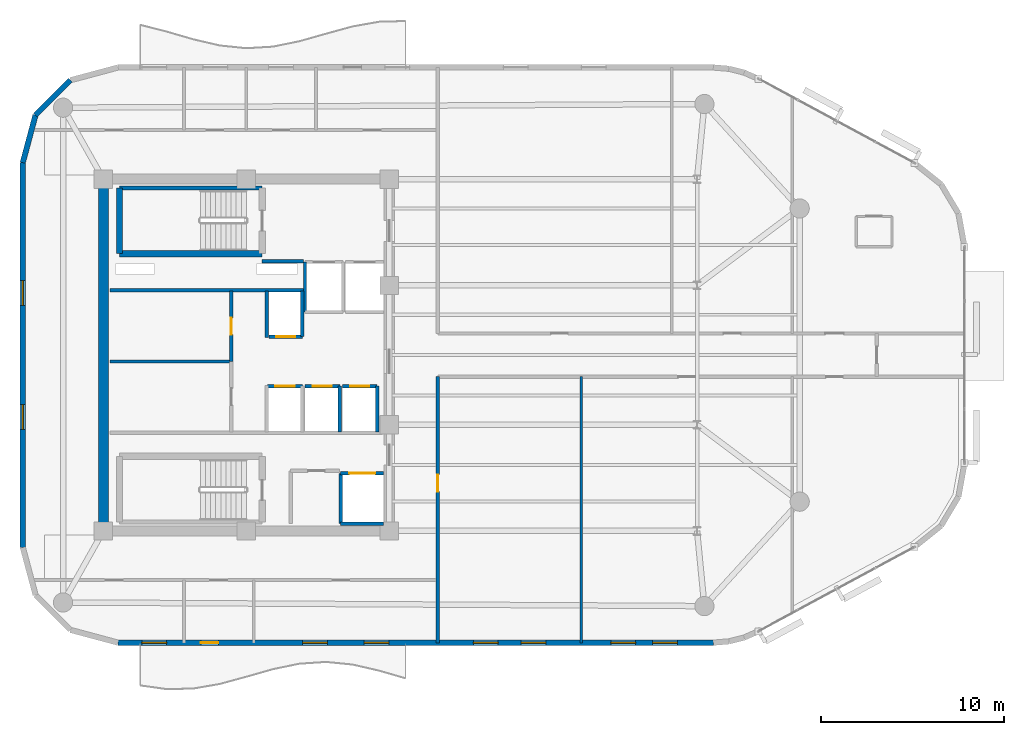
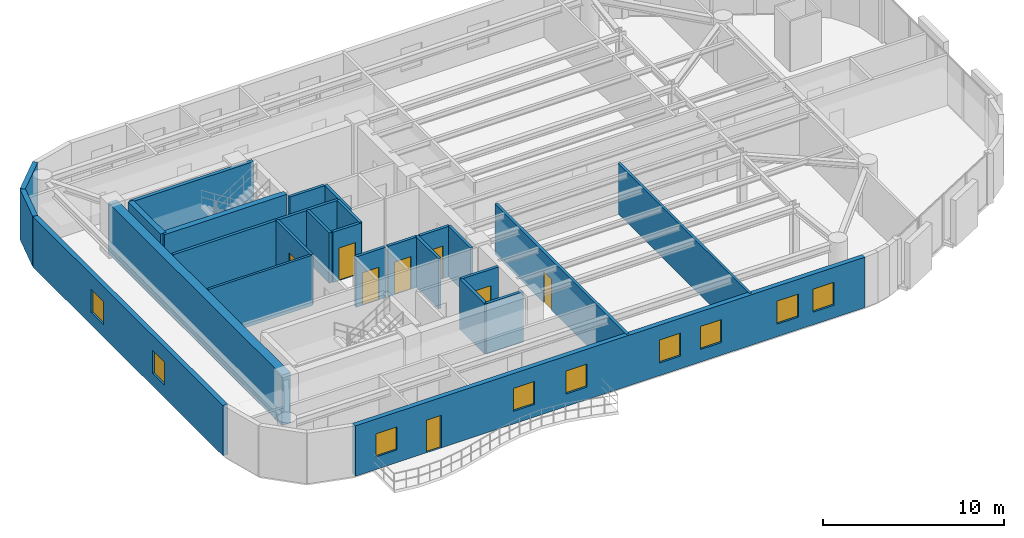
# One storey, part 9 of 13: 26 walls, 9 windows, 8 doors, 17 openings.
"""IFC4 building model written with IfcOpenShell, lengths in metres."""

from ifc_helpers import new_model, si_unit, direction, frame, frame_2d, origin, place, context, subcontext, project, spatial, rectangle, extrude, material, layer, layer_set, type_object, element, fill, save


model = new_model("IFC4")

# Units and contexts
model_context = context("Model", 3, precision=1e-05, world=origin(), true_north=direction((0.0, 1.0)))
body_context = subcontext(model_context, "Body", "Model", "MODEL_VIEW")
ifc_project = project(units=[si_unit("LENGTHUNIT", "METRE"), si_unit("AREAUNIT", "SQUARE_METRE"), si_unit("VOLUMEUNIT", "CUBIC_METRE"), si_unit("PLANEANGLEUNIT", "RADIAN"), si_unit("MASSUNIT", "GRAM", prefix="KILO")], contexts=[model_context])

# Site, building, storey
site_placement = place(None, origin())
site = spatial("IfcSite", under=ifc_project, at=site_placement, CompositionType="ELEMENT")
building_placement = place(site_placement, origin())
building = spatial("IfcBuilding", under=site, at=building_placement, Name="An Khanh Terracotta Commons", CompositionType="ELEMENT")
storey_placement = place(building_placement, frame((0.0, 0.0, 212.10009765625)))
storey = spatial("IfcBuildingStorey", under=building, at=storey_placement, Name="L55", CompositionType="ELEMENT", Elevation=212.10009765625)

# Walls
ifc_material_1 = material(Name="Concrete C50/60", Category="concrete")
ifc_layer_1 = layer(ifc_material_1, 0.550048828125, Name="Concrete C50/60")
ifc_layer_set_1 = layer_set([ifc_layer_1], Name="Concrete C50/60")
wall_type_1 = type_object("IfcWallType", Name="WALL-CORE-550", PredefinedType="SHEAR", material=ifc_layer_set_1)
wall_1_placement = place(storey_placement, frame((21.60009765625, 14.39990234375, 0.0), z_axis=(0.0, 0.0, 1.0), x_axis=(0.0, 1.0, 0.0)))
element("IfcWall", 1, at=wall_1_placement, inside=storey, type_object=wall_type_1, Name="L55 Core Wall CWALL-L55-W", PredefinedType="SHEAR", context=body_context, shape_type="SweptSolid", body=[
    extrude(rectangle(XDim=19.2001953125, YDim=0.550048828125, at=frame_2d((9.60009765625, 0.0))), origin(), (0.0, 0.0, 1.0), 3.39990234375),
])
ifc_material_2 = material(Name="Fire-Rated Gypsum Board on Steel Stud", Category="steel")
ifc_layer_2 = layer(ifc_material_2, 0.179931640625, Name="Fire-Rated Gypsum Board on Steel Stud")
ifc_layer_set_2 = layer_set([ifc_layer_2], Name="Fire-Rated Gypsum Board on Steel Stud")
wall_type_2 = type_object("IfcWallType", Name="WALL-CORR-180", PredefinedType="PARTITIONING", material=ifc_layer_set_2)
wall_2_placement = place(storey_placement, frame((30.27001953125, 29.1201171875, 0.0), z_axis=(0.0, 0.0, 1.0), x_axis=(1.0, 0.0, 0.0)))
element("IfcWall", 2, at=wall_2_placement, inside=storey, type_object=wall_type_2, Name="L55 Core Wall FFLW-L55-S", PredefinedType="PARTITIONING", context=body_context, shape_type="SweptSolid", body=[
    extrude(rectangle(XDim=2.239990234375, YDim=0.179931640625, at=frame_2d((1.1201171875, 0.0))), origin(), (0.0, 0.0, 1.0), 3.39990234375),
])
wall_3_placement = place(storey_placement, frame((21.949951171875, 27.5400390625, 0.0), z_axis=(0.0, 0.0, 1.0), x_axis=(1.0, 0.0, 0.0)))
element("IfcWall", 3, at=wall_3_placement, inside=storey, type_object=wall_type_2, Name="L55 Core Wall RSRW-L55-S", PredefinedType="PARTITIONING", context=body_context, shape_type="SweptSolid", body=[
    extrude(rectangle(XDim=10.56005859375, YDim=0.179931640625, at=frame_2d((5.280029296875, 0.0))), origin(), (0.0, 0.0, 1.0), 3.39990234375),
])
wall_4_placement = place(storey_placement, frame((32.60009765625, 29.080078125, 0.0), z_axis=(0.0, 0.0, 1.0), x_axis=(0.0, -1.0, 0.0)))
element("IfcWall", 4, at=wall_4_placement, inside=storey, type_object=wall_type_2, Name="L55 Core Wall LSH-L55-FFL-01-W", PredefinedType="PARTITIONING", context=body_context, shape_type="SweptSolid", body=[
    extrude(rectangle(XDim=2.72998046875, YDim=0.179931640625, at=frame_2d((1.364990234375, 0.0))), origin(), (0.0, 0.0, 1.0), 3.39990234375),
])

# Wall, opening, door
wall_5_placement = place(storey_placement, frame((34.550048828125, 17.550048828125, 0.0), z_axis=(0.0, 0.0, 1.0), x_axis=(1.0, 0.0, 0.0)))
wall_5 = element("IfcWall", 5, at=wall_5_placement, inside=storey, type_object=wall_type_2, Name="L55 Core Wall LSH-L55-SVL-01-N", PredefinedType="PARTITIONING", context=body_context, shape_type="SweptSolid", body=[
    extrude(rectangle(XDim=2.349853515625, YDim=0.179931640625, at=frame_2d((1.1748046875, 0.0))), origin(), (0.0, 0.0, 1.0), 3.39990234375),
])
opening_1_placement = place(wall_5_placement, frame((0.47509765625, 0.0, 0.0)))
opening_1 = element("IfcOpeningElement", 6, at=opening_1_placement, cuts=wall_5, Name="Opening LD-SVL-01-L55", PredefinedType="OPENING", context=body_context, shape_type="SweptSolid", body=[
    extrude(rectangle(XDim=1.39990234375, YDim=2.300048828125, at=frame_2d((0.699951171875, 1.14990234375))), frame((0.0, 0.099853515625, 0.0), z_axis=(0.0, -1.0, 0.0), x_axis=(1.0, 0.0, 0.0)), (0.0, 0.0, 1.0), 0.199951171875),
])
ifc_material_3 = material(Name="Heavy-Duty Stainless Steel Goods Landing Door", Category="steel")
door_type_1 = type_object("IfcDoorType", Name="DOOR-LD-SVL-1400", OperationType="NOTDEFINED", PredefinedType="DOOR", material=ifc_material_3)
door_1_placement = place(opening_1_placement, origin())
door_1 = element("IfcDoor", 7, at=door_1_placement, inside=storey, type_object=door_type_1, Name="L55 Lift SVL-01 Sliding Landing Door", OperationType="DOUBLE_DOOR_SLIDING", OverallHeight=2.300048828125, OverallWidth=1.39990234375, PredefinedType="DOOR", context=body_context, shape_type="SweptSolid", body=[
    extrude(rectangle(XDim=1.39990234375, YDim=2.300048828125, at=frame_2d((0.699951171875, 1.14990234375))), frame((0.0, 0.02490234375, 0.0), z_axis=(0.0, -1.0, 0.0), x_axis=(1.0, 0.0, 0.0)), (0.0, 0.0, 1.0), 0.050048828125),
])
fill(opening_1, door_1)

# Walls
wall_6_placement = place(storey_placement, frame((36.89990234375, 14.800048828125, 0.0), z_axis=(0.0, 0.0, 1.0), x_axis=(-1.0, 0.0, 0.0)))
element("IfcWall", 8, at=wall_6_placement, inside=storey, type_object=wall_type_2, Name="L55 Core Wall LSH-L55-SVL-01-S", PredefinedType="PARTITIONING", context=body_context, shape_type="SweptSolid", body=[
    extrude(rectangle(XDim=2.349853515625, YDim=0.179931640625, at=frame_2d((1.1748046875, 0.0))), origin(), (0.0, 0.0, 1.0), 3.39990234375),
])
wall_7_placement = place(storey_placement, frame((34.550048828125, 17.550048828125, 0.0), z_axis=(0.0, 0.0, 1.0), x_axis=(0.0, -1.0, 0.0)))
element("IfcWall", 9, at=wall_7_placement, inside=storey, type_object=wall_type_2, Name="L55 Core Wall LSH-L55-SVL-01-W", PredefinedType="PARTITIONING", context=body_context, shape_type="SweptSolid", body=[
    extrude(rectangle(XDim=2.75, YDim=0.179931640625, at=frame_2d((1.375, 0.0))), origin(), (0.0, 0.0, 1.0), 3.39990234375),
])

# Wall, opening, door
wall_8_placement = place(storey_placement, frame((32.4599609375, 25.0, 0.0), z_axis=(0.0, 0.0, 1.0), x_axis=(-1.0, 0.0, 0.0)))
wall_8 = element("IfcWall", 10, at=wall_8_placement, inside=storey, type_object=wall_type_2, Name="L55 Core Wall LSH-L55-PL-H1-S", PredefinedType="PARTITIONING", context=body_context, shape_type="SweptSolid", body=[
    extrude(rectangle(XDim=1.820068359375, YDim=0.179931640625, at=frame_2d((0.91015625, 0.0))), origin(), (0.0, 0.0, 1.0), 3.39990234375),
])
opening_2_placement = place(wall_8_placement, frame((0.385009765625, 0.0, 0.0)))
opening_2 = element("IfcOpeningElement", 11, at=opening_2_placement, cuts=wall_8, Name="Opening LD-PL-H1-L55", PredefinedType="OPENING", context=body_context, shape_type="SweptSolid", body=[
    extrude(rectangle(XDim=1.050048828125, YDim=2.199951171875, at=frame_2d((0.52490234375, 1.10009765625))), frame((0.0, 0.099853515625, 0.0), z_axis=(0.0, -1.0, 0.0), x_axis=(1.0, 0.0, 0.0)), (0.0, 0.0, 1.0), 0.199951171875),
])
ifc_material_4 = material(Name="Brushed Stainless Steel High-Rise Landing Door", Category="steel")
door_type_2 = type_object("IfcDoorType", Name="DOOR-LD-PAXH-1050", OperationType="NOTDEFINED", PredefinedType="DOOR", material=ifc_material_4)
door_2_placement = place(opening_2_placement, origin())
door_2 = element("IfcDoor", 12, at=door_2_placement, inside=storey, type_object=door_type_2, Name="L55 Lift PL-H1 Sliding Landing Door", OperationType="DOUBLE_DOOR_SLIDING", OverallHeight=2.199951171875, OverallWidth=1.050048828125, PredefinedType="DOOR", context=body_context, shape_type="SweptSolid", body=[
    extrude(rectangle(XDim=1.050048828125, YDim=2.199951171875, at=frame_2d((0.52490234375, 1.10009765625))), frame((0.0, 0.02490234375, 0.0), z_axis=(0.0, -1.0, 0.0), x_axis=(1.0, 0.0, 0.0)), (0.0, 0.0, 1.0), 0.050048828125),
])
fill(opening_2, door_2)

# Wall
wall_9_placement = place(storey_placement, frame((32.4599609375, 25.0, 0.0), z_axis=(0.0, 0.0, 1.0), x_axis=(0.0, 1.0, 0.0)))
element("IfcWall", 13, at=wall_9_placement, inside=storey, type_object=wall_type_2, Name="L55 Core Wall LSH-L55-PL-H1-E", PredefinedType="PARTITIONING", context=body_context, shape_type="SweptSolid", body=[
    extrude(rectangle(XDim=2.5, YDim=0.179931640625, at=frame_2d((1.25, 0.0))), origin(), (0.0, 0.0, 1.0), 3.39990234375),
])

# Wall, opening, door
wall_10_placement = place(storey_placement, frame((30.56005859375, 22.300048828125, 0.0), z_axis=(0.0, 0.0, 1.0), x_axis=(1.0, 0.0, 0.0)))
wall_10 = element("IfcWall", 14, at=wall_10_placement, inside=storey, type_object=wall_type_2, Name="L55 Core Wall LSH-L55-PL-H2-N", PredefinedType="PARTITIONING", context=body_context, shape_type="SweptSolid", body=[
    extrude(rectangle(XDim=1.89990234375, YDim=0.179931640625, at=frame_2d((0.949951171875, 0.0))), origin(), (0.0, 0.0, 1.0), 3.39990234375),
])
opening_3_placement = place(wall_10_placement, frame((0.425048828125, 0.0, 0.0)))
opening_3 = element("IfcOpeningElement", 15, at=opening_3_placement, cuts=wall_10, Name="Opening LD-PL-H2-L55", PredefinedType="OPENING", context=body_context, shape_type="SweptSolid", body=[
    extrude(rectangle(XDim=1.050048828125, YDim=2.199951171875, at=frame_2d((0.52490234375, 1.10009765625))), frame((0.0, 0.099853515625, 0.0), z_axis=(0.0, -1.0, 0.0), x_axis=(1.0, 0.0, 0.0)), (0.0, 0.0, 1.0), 0.199951171875),
])
door_3_placement = place(opening_3_placement, origin())
door_3 = element("IfcDoor", 16, at=door_3_placement, inside=storey, type_object=door_type_2, Name="L55 Lift PL-H2 Sliding Landing Door", OperationType="DOUBLE_DOOR_SLIDING", OverallHeight=2.199951171875, OverallWidth=1.050048828125, PredefinedType="DOOR", context=body_context, shape_type="SweptSolid", body=[
    extrude(rectangle(XDim=1.050048828125, YDim=2.199951171875, at=frame_2d((0.52490234375, 1.10009765625))), frame((0.0, 0.02490234375, 0.0), z_axis=(0.0, -1.0, 0.0), x_axis=(1.0, 0.0, 0.0)), (0.0, 0.0, 1.0), 0.050048828125),
])
fill(opening_3, door_3)

wall_11_placement = place(storey_placement, frame((32.60009765625, 22.300048828125, 0.0), z_axis=(0.0, 0.0, 1.0), x_axis=(1.0, 0.0, 0.0)))
wall_11 = element("IfcWall", 17, at=wall_11_placement, inside=storey, type_object=wall_type_2, Name="L55 Core Wall LSH-L55-PL-H3-N", PredefinedType="PARTITIONING", context=body_context, shape_type="SweptSolid", body=[
    extrude(rectangle(XDim=1.89990234375, YDim=0.179931640625, at=frame_2d((0.949951171875, 0.0))), origin(), (0.0, 0.0, 1.0), 3.39990234375),
])
opening_4_placement = place(wall_11_placement, frame((0.425048828125, 0.0, 0.0)))
opening_4 = element("IfcOpeningElement", 18, at=opening_4_placement, cuts=wall_11, Name="Opening LD-PL-H3-L55", PredefinedType="OPENING", context=body_context, shape_type="SweptSolid", body=[
    extrude(rectangle(XDim=1.050048828125, YDim=2.199951171875, at=frame_2d((0.52490234375, 1.10009765625))), frame((0.0, 0.099853515625, 0.0), z_axis=(0.0, -1.0, 0.0), x_axis=(1.0, 0.0, 0.0)), (0.0, 0.0, 1.0), 0.199951171875),
])
door_4_placement = place(opening_4_placement, origin())
door_4 = element("IfcDoor", 19, at=door_4_placement, inside=storey, type_object=door_type_2, Name="L55 Lift PL-H3 Sliding Landing Door", OperationType="DOUBLE_DOOR_SLIDING", OverallHeight=2.199951171875, OverallWidth=1.050048828125, PredefinedType="DOOR", context=body_context, shape_type="SweptSolid", body=[
    extrude(rectangle(XDim=1.050048828125, YDim=2.199951171875, at=frame_2d((0.52490234375, 1.10009765625))), frame((0.0, 0.02490234375, 0.0), z_axis=(0.0, -1.0, 0.0), x_axis=(1.0, 0.0, 0.0)), (0.0, 0.0, 1.0), 0.050048828125),
])
fill(opening_4, door_4)

# Wall
wall_12_placement = place(storey_placement, frame((34.5, 19.800048828125, 0.0), z_axis=(0.0, 0.0, 1.0), x_axis=(0.0, 1.0, 0.0)))
element("IfcWall", 20, at=wall_12_placement, inside=storey, type_object=wall_type_2, Name="L55 Core Wall LSH-L55-PL-H3-E", PredefinedType="PARTITIONING", context=body_context, shape_type="SweptSolid", body=[
    extrude(rectangle(XDim=2.5, YDim=0.179931640625, at=frame_2d((1.25, 0.0))), origin(), (0.0, 0.0, 1.0), 3.39990234375),
])

# Wall, opening, door
wall_13_placement = place(storey_placement, frame((34.639892578125, 22.300048828125, 0.0), z_axis=(0.0, 0.0, 1.0), x_axis=(1.0, 0.0, 0.0)))
wall_13 = element("IfcWall", 21, at=wall_13_placement, inside=storey, type_object=wall_type_2, Name="L55 Core Wall LSH-L55-PL-H4-N", PredefinedType="PARTITIONING", context=body_context, shape_type="SweptSolid", body=[
    extrude(rectangle(XDim=1.900146484375, YDim=0.179931640625, at=frame_2d((0.9501953125, 0.0))), origin(), (0.0, 0.0, 1.0), 3.39990234375),
])
opening_5_placement = place(wall_13_placement, frame((0.425048828125, 0.0, 0.0)))
opening_5 = element("IfcOpeningElement", 22, at=opening_5_placement, cuts=wall_13, Name="Opening LD-PL-H4-L55", PredefinedType="OPENING", context=body_context, shape_type="SweptSolid", body=[
    extrude(rectangle(XDim=1.050048828125, YDim=2.199951171875, at=frame_2d((0.52490234375, 1.10009765625))), frame((0.0, 0.099853515625, 0.0), z_axis=(0.0, -1.0, 0.0), x_axis=(1.0, 0.0, 0.0)), (0.0, 0.0, 1.0), 0.199951171875),
])
door_5_placement = place(opening_5_placement, origin())
door_5 = element("IfcDoor", 23, at=door_5_placement, inside=storey, type_object=door_type_2, Name="L55 Lift PL-H4 Sliding Landing Door", OperationType="DOUBLE_DOOR_SLIDING", OverallHeight=2.199951171875, OverallWidth=1.050048828125, PredefinedType="DOOR", context=body_context, shape_type="SweptSolid", body=[
    extrude(rectangle(XDim=1.050048828125, YDim=2.199951171875, at=frame_2d((0.52490234375, 1.10009765625))), frame((0.0, 0.02490234375, 0.0), z_axis=(0.0, -1.0, 0.0), x_axis=(1.0, 0.0, 0.0)), (0.0, 0.0, 1.0), 0.050048828125),
])
fill(opening_5, door_5)

# Walls
wall_14_placement = place(storey_placement, frame((36.5400390625, 19.800048828125, 0.0), z_axis=(0.0, 0.0, 1.0), x_axis=(0.0, 1.0, 0.0)))
element("IfcWall", 24, at=wall_14_placement, inside=storey, type_object=wall_type_2, Name="L55 Core Wall LSH-L55-PL-H4-E", PredefinedType="PARTITIONING", context=body_context, shape_type="SweptSolid", body=[
    extrude(rectangle(XDim=2.5, YDim=0.179931640625, at=frame_2d((1.25, 0.0))), origin(), (0.0, 0.0, 1.0), 3.39990234375),
])
wall_15_placement = place(storey_placement, frame((30.52001953125, 24.949951171875, 0.0), z_axis=(0.0, 0.0, 1.0), x_axis=(0.0, 1.0, 0.0)))
element("IfcWall", 25, at=wall_15_placement, inside=storey, type_object=wall_type_2, Name="L55 Core Wall RECW-L55-BE1", PredefinedType="PARTITIONING", context=body_context, shape_type="SweptSolid", body=[
    extrude(rectangle(XDim=2.550048828125, YDim=0.179931640625, at=frame_2d((1.27490234375, 0.0))), origin(), (0.0, 0.0, 1.0), 3.39990234375),
])

# Wall, opening, door
wall_16_placement = place(storey_placement, frame((28.580078125, 23.64990234375, 0.0), z_axis=(0.0, 0.0, 1.0), x_axis=(0.0, 1.0, 0.0)))
wall_16 = element("IfcWall", 26, at=wall_16_placement, inside=storey, type_object=wall_type_2, Name="L55 Core Wall RECW-L55-E1", PredefinedType="PARTITIONING", context=body_context, shape_type="SweptSolid", body=[
    extrude(rectangle(XDim=3.85009765625, YDim=0.179931640625, at=frame_2d((1.925048828125, 0.0))), origin(), (0.0, 0.0, 1.0), 3.39990234375),
])
opening_6_placement = place(wall_16_placement, frame((1.465087890625, 0.0, 0.0)))
opening_6 = element("IfcOpeningElement", 27, at=opening_6_placement, cuts=wall_16, Name="Opening D-RM", PredefinedType="OPENING", context=body_context, shape_type="SweptSolid", body=[
    extrude(rectangle(XDim=0.919921875, YDim=2.10009765625, at=frame_2d((0.4599609375, 1.050048828125))), frame((0.0, 0.099853515625, 0.0), z_axis=(0.0, -1.0, 0.0), x_axis=(1.0, 0.0, 0.0)), (0.0, 0.0, 1.0), 0.199951171875),
])
ifc_material_5 = material(Name="Engineered Hardwood Timber Leaf", Category="wood")
door_type_3 = type_object("IfcDoorType", Name="DOOR-INT-920", OperationType="NOTDEFINED", PredefinedType="DOOR", material=ifc_material_5)
door_6_placement = place(opening_6_placement, origin())
door_6 = element("IfcDoor", 28, at=door_6_placement, inside=storey, type_object=door_type_3, Name="L55 Communal Laundry Room Door", OperationType="SINGLE_SWING_RIGHT", OverallHeight=2.10009765625, OverallWidth=0.919921875, PredefinedType="DOOR", context=body_context, shape_type="SweptSolid", body=[
    extrude(rectangle(XDim=0.919921875, YDim=2.10009765625, at=frame_2d((0.4599609375, 1.050048828125))), frame((0.0, 0.02490234375, 0.0), z_axis=(0.0, -1.0, 0.0), x_axis=(1.0, 0.0, 0.0)), (0.0, 0.0, 1.0), 0.050048828125),
])
fill(opening_6, door_6)

wall_17_placement = place(storey_placement, frame((39.85009765625, 8.300048828125, 0.0), z_axis=(0.0, 0.0, 1.0), x_axis=(0.0, 1.0, 0.0)))
wall_17 = element("IfcWall", 29, at=wall_17_placement, inside=storey, type_object=wall_type_2, Name="L55 Interior Partition IW-L55-E010", PredefinedType="PARTITIONING", context=body_context, shape_type="SweptSolid", body=[
    extrude(rectangle(XDim=14.52001953125, YDim=0.179931640625, at=frame_2d((7.260009765625, 0.0))), origin(), (0.0, 0.0, 1.0), 3.39990234375),
])
opening_7_placement = place(wall_17_placement, frame((8.25, 0.0, 0.0)))
opening_7 = element("IfcOpeningElement", 30, at=opening_7_placement, cuts=wall_17, Name="Opening D-RM", PredefinedType="OPENING", context=body_context, shape_type="SweptSolid", body=[
    extrude(rectangle(XDim=0.919921875, YDim=2.10009765625, at=frame_2d((0.4599609375, 1.050048828125))), frame((0.0, 0.099853515625, 0.0), z_axis=(0.0, -1.0, 0.0), x_axis=(1.0, 0.0, 0.0)), (0.0, 0.0, 1.0), 0.199951171875),
])
door_7_placement = place(opening_7_placement, origin())
door_7 = element("IfcDoor", 31, at=door_7_placement, inside=storey, type_object=door_type_3, Name="L55 SB1 Group Tutorial Meeting Room Door", OperationType="SINGLE_SWING_RIGHT", OverallHeight=2.10009765625, OverallWidth=0.919921875, PredefinedType="DOOR", context=body_context, shape_type="SweptSolid", body=[
    extrude(rectangle(XDim=0.919921875, YDim=2.10009765625, at=frame_2d((0.4599609375, 1.050048828125))), frame((0.0, 0.02490234375, 0.0), z_axis=(0.0, -1.0, 0.0), x_axis=(1.0, 0.0, 0.0)), (0.0, 0.0, 1.0), 0.050048828125),
])
fill(opening_7, door_7)

# Wall, openings, door, windows
ifc_material_6 = material(Name="Precast concrete C40/50", Category="concrete")
ifc_layer_3 = layer(ifc_material_6, 0.300048828125, Name="Precast concrete C40/50")
ifc_layer_set_3 = layer_set([ifc_layer_3], Name="Precast concrete C40/50")
wall_type_3 = type_object("IfcWallType", Name="WALL-EXT-300", PredefinedType="SOLIDWALL", material=ifc_layer_set_3)
wall_18_placement = place(storey_placement, frame((22.39990234375, 8.300048828125, 0.0), z_axis=(0.0, 0.0, 1.0), x_axis=(1.0, 0.0, 0.0)))
wall_18 = element("IfcWall", 32, at=wall_18_placement, inside=storey, type_object=wall_type_3, Name="L55 Insulated Terracotta Exterior Wall 4", PredefinedType="SOLIDWALL", context=body_context, shape_type="SweptSolid", body=[
    extrude(rectangle(XDim=32.485107421875, YDim=0.300048828125, at=frame_2d((16.24267578125, 0.0))), origin(), (0.0, 0.0, 1.0), 3.39990234375),
])
opening_8_placement = place(wall_18_placement, frame((4.52490234375, 0.0, 0.0)))
opening_8 = element("IfcOpeningElement", 33, at=opening_8_placement, cuts=wall_18, Name="Opening D-BAL", PredefinedType="OPENING", context=body_context, shape_type="SweptSolid", body=[
    extrude(rectangle(XDim=0.949951171875, YDim=2.199951171875, at=frame_2d((0.47509765625, 1.10009765625))), frame((0.0, 0.159912109375, 0.0), z_axis=(0.0, -1.0, 0.0), x_axis=(1.0, 0.0, 0.0)), (0.0, 0.0, 1.0), 0.320068359375),
])
opening_9_placement = place(wall_18_placement, frame((1.300048828125, 0.0, 0.85009765625)))
opening_9 = element("IfcOpeningElement", 34, at=opening_9_placement, cuts=wall_18, Name="Opening W-04", PredefinedType="OPENING", context=body_context, shape_type="SweptSolid", body=[
    extrude(rectangle(XDim=1.35009765625, YDim=1.550048828125, at=frame_2d((0.675048828125, 0.77490234375))), frame((0.0, 0.159912109375, 0.0), z_axis=(0.0, -1.0, 0.0), x_axis=(1.0, 0.0, 0.0)), (0.0, 0.0, 1.0), 0.320068359375),
])
opening_10_placement = place(wall_18_placement, frame((10.074951171875, 0.0, 0.85009765625)))
opening_10 = element("IfcOpeningElement", 35, at=opening_10_placement, cuts=wall_18, Name="Opening W-04", PredefinedType="OPENING", context=body_context, shape_type="SweptSolid", body=[
    extrude(rectangle(XDim=1.35009765625, YDim=1.550048828125, at=frame_2d((0.675048828125, 0.77490234375))), frame((0.0, 0.159912109375, 0.0), z_axis=(0.0, -1.0, 0.0), x_axis=(1.0, 0.0, 0.0)), (0.0, 0.0, 1.0), 0.320068359375),
])
opening_11_placement = place(wall_18_placement, frame((13.425048828125, 0.0, 0.85009765625)))
opening_11 = element("IfcOpeningElement", 36, at=opening_11_placement, cuts=wall_18, Name="Opening W-04", PredefinedType="OPENING", context=body_context, shape_type="SweptSolid", body=[
    extrude(rectangle(XDim=1.35009765625, YDim=1.550048828125, at=frame_2d((0.675048828125, 0.77490234375))), frame((0.0, 0.159912109375, 0.0), z_axis=(0.0, -1.0, 0.0), x_axis=(1.0, 0.0, 0.0)), (0.0, 0.0, 1.0), 0.320068359375),
])
opening_12_placement = place(wall_18_placement, frame((19.385986328125, 0.0, 0.85009765625)))
opening_12 = element("IfcOpeningElement", 37, at=opening_12_placement, cuts=wall_18, Name="Opening W-04", PredefinedType="OPENING", context=body_context, shape_type="SweptSolid", body=[
    extrude(rectangle(XDim=1.35009765625, YDim=1.550048828125, at=frame_2d((0.675048828125, 0.77490234375))), frame((0.0, 0.159912109375, 0.0), z_axis=(0.0, -1.0, 0.0), x_axis=(1.0, 0.0, 0.0)), (0.0, 0.0, 1.0), 0.320068359375),
])
opening_13_placement = place(wall_18_placement, frame((21.99609375, 0.0, 0.85009765625)))
opening_13 = element("IfcOpeningElement", 38, at=opening_13_placement, cuts=wall_18, Name="Opening W-04", PredefinedType="OPENING", context=body_context, shape_type="SweptSolid", body=[
    extrude(rectangle(XDim=1.35009765625, YDim=1.550048828125, at=frame_2d((0.675048828125, 0.77490234375))), frame((0.0, 0.159912109375, 0.0), z_axis=(0.0, -1.0, 0.0), x_axis=(1.0, 0.0, 0.0)), (0.0, 0.0, 1.0), 0.320068359375),
])
opening_14_placement = place(wall_18_placement, frame((26.89111328125, 0.0, 0.85009765625)))
opening_14 = element("IfcOpeningElement", 39, at=opening_14_placement, cuts=wall_18, Name="Opening W-04", PredefinedType="OPENING", context=body_context, shape_type="SweptSolid", body=[
    extrude(rectangle(XDim=1.35009765625, YDim=1.550048828125, at=frame_2d((0.675048828125, 0.77490234375))), frame((0.0, 0.159912109375, 0.0), z_axis=(0.0, -1.0, 0.0), x_axis=(1.0, 0.0, 0.0)), (0.0, 0.0, 1.0), 0.320068359375),
])
opening_15_placement = place(wall_18_placement, frame((29.176025390625, 0.0, 0.85009765625)))
opening_15 = element("IfcOpeningElement", 40, at=opening_15_placement, cuts=wall_18, Name="Opening W-04", PredefinedType="OPENING", context=body_context, shape_type="SweptSolid", body=[
    extrude(rectangle(XDim=1.35009765625, YDim=1.550048828125, at=frame_2d((0.675048828125, 0.77490234375))), frame((0.0, 0.159912109375, 0.0), z_axis=(0.0, -1.0, 0.0), x_axis=(1.0, 0.0, 0.0)), (0.0, 0.0, 1.0), 0.320068359375),
])
ifc_material_7 = material(Name="Thermally Broken Aluminium and Low-E Glass", Category="aluminium")
door_type_4 = type_object("IfcDoorType", Name="DOOR-BALC-950", OperationType="NOTDEFINED", PredefinedType="DOOR", material=ifc_material_7)
door_8_placement = place(opening_8_placement, origin())
door_8 = element("IfcDoor", 41, at=door_8_placement, inside=storey, type_object=door_type_4, Name="L55 S Wave Balcony Glazed Door", OperationType="SINGLE_SWING_LEFT", OverallHeight=2.199951171875, OverallWidth=0.949951171875, PredefinedType="DOOR", context=body_context, shape_type="SweptSolid", body=[
    extrude(rectangle(XDim=0.949951171875, YDim=2.199951171875, at=frame_2d((0.47509765625, 1.10009765625))), frame((0.0, 0.02490234375, 0.0), z_axis=(0.0, -1.0, 0.0), x_axis=(1.0, 0.0, 0.0)), (0.0, 0.0, 1.0), 0.050048828125),
])
fill(opening_8, door_8)
window_type = type_object("IfcWindowType", Name="WIN-Z4-1350x1550", PartitioningType="SINGLE_PANEL", PredefinedType="WINDOW", material=ifc_material_7)
window_1_placement = place(opening_9_placement, origin())
window_1 = element("IfcWindow", 42, at=window_1_placement, inside=storey, type_object=window_type, Name="L55 Operable Casement Window 4.1", OverallHeight=1.550048828125, OverallWidth=1.35009765625, PartitioningType="SINGLE_PANEL", PredefinedType="WINDOW", context=body_context, shape_type="SweptSolid", body=[
    extrude(rectangle(XDim=1.35009765625, YDim=1.550048828125, at=frame_2d((0.675048828125, 0.77490234375))), frame((0.0, 0.030029296875, 0.0), z_axis=(0.0, -1.0, 0.0), x_axis=(1.0, 0.0, 0.0)), (0.0, 0.0, 1.0), 0.06005859375),
])
fill(opening_9, window_1)
window_2_placement = place(opening_10_placement, origin())
window_2 = element("IfcWindow", 43, at=window_2_placement, inside=storey, type_object=window_type, Name="L55 Operable Casement Window 4.2", OverallHeight=1.550048828125, OverallWidth=1.35009765625, PartitioningType="SINGLE_PANEL", PredefinedType="WINDOW", context=body_context, shape_type="SweptSolid", body=[
    extrude(rectangle(XDim=1.35009765625, YDim=1.550048828125, at=frame_2d((0.675048828125, 0.77490234375))), frame((0.0, 0.030029296875, 0.0), z_axis=(0.0, -1.0, 0.0), x_axis=(1.0, 0.0, 0.0)), (0.0, 0.0, 1.0), 0.06005859375),
])
fill(opening_10, window_2)
window_3_placement = place(opening_11_placement, origin())
window_3 = element("IfcWindow", 44, at=window_3_placement, inside=storey, type_object=window_type, Name="L55 Operable Casement Window 4.3", OverallHeight=1.550048828125, OverallWidth=1.35009765625, PartitioningType="SINGLE_PANEL", PredefinedType="WINDOW", context=body_context, shape_type="SweptSolid", body=[
    extrude(rectangle(XDim=1.35009765625, YDim=1.550048828125, at=frame_2d((0.675048828125, 0.77490234375))), frame((0.0, 0.030029296875, 0.0), z_axis=(0.0, -1.0, 0.0), x_axis=(1.0, 0.0, 0.0)), (0.0, 0.0, 1.0), 0.06005859375),
])
fill(opening_11, window_3)
window_4_placement = place(opening_12_placement, origin())
window_4 = element("IfcWindow", 45, at=window_4_placement, inside=storey, type_object=window_type, Name="L55 Operable Casement Window 4.4", OverallHeight=1.550048828125, OverallWidth=1.35009765625, PartitioningType="SINGLE_PANEL", PredefinedType="WINDOW", context=body_context, shape_type="SweptSolid", body=[
    extrude(rectangle(XDim=1.35009765625, YDim=1.550048828125, at=frame_2d((0.675048828125, 0.77490234375))), frame((0.0, 0.030029296875, 0.0), z_axis=(0.0, -1.0, 0.0), x_axis=(1.0, 0.0, 0.0)), (0.0, 0.0, 1.0), 0.06005859375),
])
fill(opening_12, window_4)
window_5_placement = place(opening_13_placement, origin())
window_5 = element("IfcWindow", 46, at=window_5_placement, inside=storey, type_object=window_type, Name="L55 Operable Casement Window 4.5", OverallHeight=1.550048828125, OverallWidth=1.35009765625, PartitioningType="SINGLE_PANEL", PredefinedType="WINDOW", context=body_context, shape_type="SweptSolid", body=[
    extrude(rectangle(XDim=1.35009765625, YDim=1.550048828125, at=frame_2d((0.675048828125, 0.77490234375))), frame((0.0, 0.030029296875, 0.0), z_axis=(0.0, -1.0, 0.0), x_axis=(1.0, 0.0, 0.0)), (0.0, 0.0, 1.0), 0.06005859375),
])
fill(opening_13, window_5)
window_6_placement = place(opening_14_placement, origin())
window_6 = element("IfcWindow", 47, at=window_6_placement, inside=storey, type_object=window_type, Name="L55 Operable Casement Window 4.6", OverallHeight=1.550048828125, OverallWidth=1.35009765625, PartitioningType="SINGLE_PANEL", PredefinedType="WINDOW", context=body_context, shape_type="SweptSolid", body=[
    extrude(rectangle(XDim=1.35009765625, YDim=1.550048828125, at=frame_2d((0.675048828125, 0.77490234375))), frame((0.0, 0.030029296875, 0.0), z_axis=(0.0, -1.0, 0.0), x_axis=(1.0, 0.0, 0.0)), (0.0, 0.0, 1.0), 0.06005859375),
])
fill(opening_14, window_6)
window_7_placement = place(opening_15_placement, origin())
window_7 = element("IfcWindow", 48, at=window_7_placement, inside=storey, type_object=window_type, Name="L55 Operable Casement Window 4.7", OverallHeight=1.550048828125, OverallWidth=1.35009765625, PartitioningType="SINGLE_PANEL", PredefinedType="WINDOW", context=body_context, shape_type="SweptSolid", body=[
    extrude(rectangle(XDim=1.35009765625, YDim=1.550048828125, at=frame_2d((0.675048828125, 0.77490234375))), frame((0.0, 0.030029296875, 0.0), z_axis=(0.0, -1.0, 0.0), x_axis=(1.0, 0.0, 0.0)), (0.0, 0.0, 1.0), 0.06005859375),
])
fill(opening_15, window_7)

# Walls
wall_19_placement = place(storey_placement, frame((19.800048828125, 39.0029296875, 0.0), z_axis=(0.0, 0.0, 1.0), x_axis=(-0.707152139074, -0.70706142039, 0.0)))
element("IfcWall", 49, at=wall_19_placement, inside=storey, type_object=wall_type_3, Name="L55 Insulated Terracotta Exterior Wall 22", PredefinedType="SOLIDWALL", context=body_context, shape_type="SweptSolid", body=[
    extrude(rectangle(XDim=2.691162109375, YDim=0.300048828125, at=frame_2d((1.345703125, 0.0))), origin(), (0.0, 0.0, 1.0), 3.39990234375),
])
wall_20_placement = place(storey_placement, frame((17.89697265625, 37.10009765625, 0.0), z_axis=(0.0, 0.0, 1.0), x_axis=(-0.258932525951, -0.965895412042, 0.0)))
element("IfcWall", 50, at=wall_20_placement, inside=storey, type_object=wall_type_3, Name="L55 Insulated Terracotta Exterior Wall 23", PredefinedType="SOLIDWALL", context=body_context, shape_type="SweptSolid", body=[
    extrude(rectangle(XDim=2.69189453125, YDim=0.300048828125, at=frame_2d((1.345947265625, 0.0))), origin(), (0.0, 0.0, 1.0), 3.39990234375),
])

# Wall, openings, windows
wall_21_placement = place(storey_placement, frame((17.199951171875, 34.5, 0.0), z_axis=(0.0, 0.0, 1.0), x_axis=(0.0, -1.0, 0.0)))
wall_21 = element("IfcWall", 51, at=wall_21_placement, inside=storey, type_object=wall_type_3, Name="L55 Insulated Terracotta Exterior Wall 24", PredefinedType="SOLIDWALL", context=body_context, shape_type="SweptSolid", body=[
    extrude(rectangle(XDim=21.0, YDim=0.300048828125, at=frame_2d((10.5, 0.0))), origin(), (0.0, 0.0, 1.0), 3.39990234375),
])
opening_16_placement = place(wall_21_placement, frame((6.44189453125, 0.0, 0.85009765625)))
opening_16 = element("IfcOpeningElement", 52, at=opening_16_placement, cuts=wall_21, Name="Opening W-04", PredefinedType="OPENING", context=body_context, shape_type="SweptSolid", body=[
    extrude(rectangle(XDim=1.35009765625, YDim=1.550048828125, at=frame_2d((0.675048828125, 0.77490234375))), frame((0.0, 0.159912109375, 0.0), z_axis=(0.0, -1.0, 0.0), x_axis=(1.0, 0.0, 0.0)), (0.0, 0.0, 1.0), 0.320068359375),
])
opening_17_placement = place(wall_21_placement, frame((13.2080078125, 0.0, 0.85009765625)))
opening_17 = element("IfcOpeningElement", 53, at=opening_17_placement, cuts=wall_21, Name="Opening W-04", PredefinedType="OPENING", context=body_context, shape_type="SweptSolid", body=[
    extrude(rectangle(XDim=1.35009765625, YDim=1.550048828125, at=frame_2d((0.675048828125, 0.77490234375))), frame((0.0, 0.159912109375, 0.0), z_axis=(0.0, -1.0, 0.0), x_axis=(1.0, 0.0, 0.0)), (0.0, 0.0, 1.0), 0.320068359375),
])
window_8_placement = place(opening_16_placement, origin())
window_8 = element("IfcWindow", 54, at=window_8_placement, inside=storey, type_object=window_type, Name="L55 Operable Casement Window 24.1", OverallHeight=1.550048828125, OverallWidth=1.35009765625, PartitioningType="SINGLE_PANEL", PredefinedType="WINDOW", context=body_context, shape_type="SweptSolid", body=[
    extrude(rectangle(XDim=1.35009765625, YDim=1.550048828125, at=frame_2d((0.675048828125, 0.77490234375))), frame((0.0, 0.030029296875, 0.0), z_axis=(0.0, -1.0, 0.0), x_axis=(1.0, 0.0, 0.0)), (0.0, 0.0, 1.0), 0.06005859375),
])
fill(opening_16, window_8)
window_9_placement = place(opening_17_placement, origin())
window_9 = element("IfcWindow", 55, at=window_9_placement, inside=storey, type_object=window_type, Name="L55 Operable Casement Window 24.2", OverallHeight=1.550048828125, OverallWidth=1.35009765625, PartitioningType="SINGLE_PANEL", PredefinedType="WINDOW", context=body_context, shape_type="SweptSolid", body=[
    extrude(rectangle(XDim=1.35009765625, YDim=1.550048828125, at=frame_2d((0.675048828125, 0.77490234375))), frame((0.0, 0.030029296875, 0.0), z_axis=(0.0, -1.0, 0.0), x_axis=(1.0, 0.0, 0.0)), (0.0, 0.0, 1.0), 0.06005859375),
])
fill(opening_17, window_9)

# Walls
ifc_material_8 = material(Name="Acoustic Gypsum Board Partition")
ifc_layer_4 = layer(ifc_material_8, 0.14990234375, Name="Acoustic Gypsum Board Partition")
ifc_layer_set_4 = layer_set([ifc_layer_4], Name="Acoustic Gypsum Board Partition")
wall_type_4 = type_object("IfcWallType", Name="WALL-PART-150", PredefinedType="PARTITIONING", material=ifc_layer_set_4)
wall_22_placement = place(storey_placement, frame((21.949951171875, 23.64990234375, 0.0), z_axis=(0.0, 0.0, 1.0), x_axis=(1.0, 0.0, 0.0)))
element("IfcWall", 56, at=wall_22_placement, inside=storey, type_object=wall_type_4, Name="L55 Core Wall RECW-L55-M", PredefinedType="PARTITIONING", context=body_context, shape_type="SweptSolid", body=[
    extrude(rectangle(XDim=6.630126953125, YDim=0.14990234375, at=frame_2d((3.31494140625, 0.0))), origin(), (0.0, 0.0, 1.0), 3.39990234375),
])
wall_23_placement = place(storey_placement, frame((47.681884765625, 8.300048828125, 0.0), z_axis=(0.0, 0.0, 1.0), x_axis=(0.0, 1.0, 0.0)))
element("IfcWall", 57, at=wall_23_placement, inside=storey, type_object=wall_type_4, Name="L55 Interior Partition IW-L55-E012", PredefinedType="PARTITIONING", context=body_context, shape_type="SweptSolid", body=[
    extrude(rectangle(XDim=14.52001953125, YDim=0.14990234375, at=frame_2d((7.260009765625, 0.0))), origin(), (0.0, 0.0, 1.0), 3.39990234375),
])
ifc_material_9 = material(Name="Acoustic Double-Stud Gypsum and Mineral Wool")
ifc_layer_5 = layer(ifc_material_9, 0.219970703125, Name="Acoustic Double-Stud Gypsum and Mineral Wool")
ifc_layer_set_5 = layer_set([ifc_layer_5], Name="Acoustic Double-Stud Gypsum and Mineral Wool")
wall_type_5 = type_object("IfcWallType", Name="WALL-PARTY-220", PredefinedType="PARTITIONING", material=ifc_layer_set_5)
wall_24_placement = place(storey_placement, frame((22.47998046875, 33.110107421875, 0.0), z_axis=(0.0, 0.0, 1.0), x_axis=(1.0, 0.0, 0.0)))
element("IfcWall", 58, at=wall_24_placement, inside=storey, type_object=wall_type_5, Name="L55 Core Wall STW-L55-N-N", PredefinedType="PARTITIONING", context=body_context, shape_type="SweptSolid", body=[
    extrude(rectangle(XDim=7.7900390625, YDim=0.219970703125, at=frame_2d((3.89501953125, 0.0))), origin(), (0.0, 0.0, 1.0), 3.39990234375),
])
ifc_layer_6 = layer(ifc_material_1, 0.35009765625, Name="Concrete C50/60")
ifc_layer_set_6 = layer_set([ifc_layer_6], Name="Concrete C50/60")
wall_type_6 = type_object("IfcWallType", Name="WALL-SHAFT-350", PredefinedType="SOLIDWALL", material=ifc_layer_set_6)
wall_25_placement = place(storey_placement, frame((22.47998046875, 29.530029296875, 0.0), z_axis=(0.0, 0.0, 1.0), x_axis=(1.0, 0.0, 0.0)))
element("IfcWall", 59, at=wall_25_placement, inside=storey, type_object=wall_type_6, Name="L55 Core Wall STW-L55-N-S", PredefinedType="SOLIDWALL", context=body_context, shape_type="SweptSolid", body=[
    extrude(rectangle(XDim=7.7900390625, YDim=0.35009765625, at=frame_2d((3.89501953125, 0.0))), origin(), (0.0, 0.0, 1.0), 3.39990234375),
])
wall_26_placement = place(storey_placement, frame((22.47998046875, 29.530029296875, 0.0), z_axis=(0.0, 0.0, 1.0), x_axis=(0.0, 1.0, 0.0)))
element("IfcWall", 60, at=wall_26_placement, inside=storey, type_object=wall_type_6, Name="L55 Core Wall STW-L55-N-W", PredefinedType="SOLIDWALL", context=body_context, shape_type="SweptSolid", body=[
    extrude(rectangle(XDim=3.580078125, YDim=0.35009765625, at=frame_2d((1.7900390625, 0.0))), origin(), (0.0, 0.0, 1.0), 3.39990234375),
])

save(model, "model.ifc")
